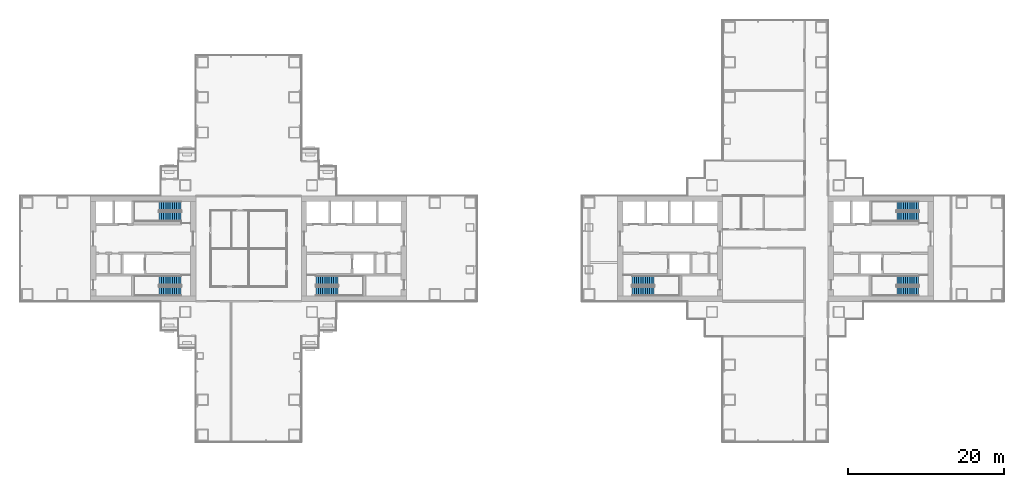
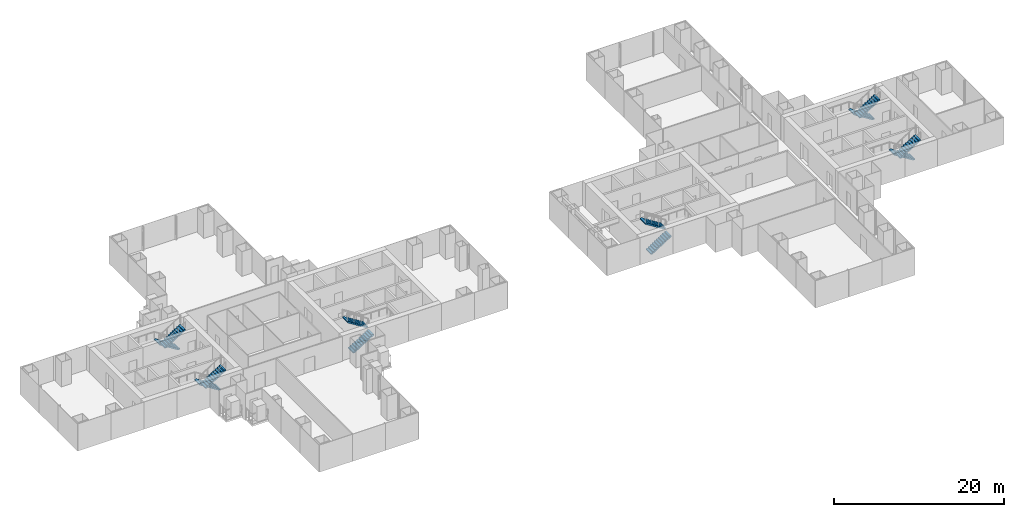
# One storey, part 18 of 21: 12 stair flights, 6 elements without a shape of their own.
"""IFC4 building model written with IfcOpenShell, lengths in metres."""

from ifc_helpers import new_model, si_unit, direction, frame, origin, place, context, subcontext, project, spatial, polyline, outline, extrude, material, type_object, element, aggregate, save


model = new_model("IFC4")

# Units and contexts
model_context = context("Model", 3, precision=1e-05, world=origin(), true_north=direction((0.0, 1.0)))
body_context = subcontext(model_context, "Body", "Model", "MODEL_VIEW")
ifc_project = project(units=[si_unit("LENGTHUNIT", "METRE"), si_unit("AREAUNIT", "SQUARE_METRE"), si_unit("VOLUMEUNIT", "CUBIC_METRE"), si_unit("PLANEANGLEUNIT", "RADIAN"), si_unit("MASSUNIT", "GRAM", prefix="KILO")], contexts=[model_context])

# Site, building, storey
site_placement = place(None, origin())
site = spatial("IfcSite", under=ifc_project, at=site_placement, CompositionType="ELEMENT")
building_placement = place(site_placement, origin())
building = spatial("IfcBuilding", under=site, at=building_placement, Name="Shamsa Quay Exchange Towers", CompositionType="ELEMENT")
storey_placement = place(building_placement, frame((0.0, 0.0, 61.5)))
storey = spatial("IfcBuildingStorey", under=building, at=storey_placement, Name="L13", CompositionType="ELEMENT", Elevation=61.5)

# Stair, stair flights
ifc_material = material(Name="Concrete C40/50", Category="concrete")
stair_type = type_object("IfcStairType", Name="EXIT STAIR 22 RISERS 177 MM", PredefinedType="HALF_TURN_STAIR", material=ifc_material)
stair_1_placement = place(storey_placement, origin())
stair_1 = element("IfcStair", 1, at=stair_1_placement, inside=storey, type_object=stair_type, Name="L13 Exit stair ST1", PredefinedType="HALF_TURN_STAIR")
stair_flight_type = type_object("IfcStairFlightType", Name="EXIT STAIR FLIGHT 11 RISERS 177 MM", PredefinedType="STRAIGHT", material=ifc_material)
stair_flight_1_placement = place(storey_placement, frame((-25.10009765625, -5.449951171875, 0.0)))
stair_flight_1 = element("IfcStairFlight", 2, at=stair_flight_1_placement, type_object=stair_flight_type, Name="ST1 flight 1", NumberOfRisers=11, NumberOfTreads=10, PredefinedType="STRAIGHT", RiserHeight=0.177272727, TreadLength=0.28, context=body_context, shape_type="SweptSolid", body=[
    extrude(outline(polyline([(0.0, 0.0), (0.0, 0.17724609375), (0.280029296875, 0.17724609375), (0.280029296875, 0.3544921875), (0.56005859375, 0.3544921875), (0.56005859375, 0.53173828125), (0.840087890625, 0.53173828125), (0.840087890625, 0.708984375), (1.1201171875, 0.708984375), (1.1201171875, 0.886474609375), (1.39990234375, 0.886474609375), (1.39990234375, 1.063720703125), (1.679931640625, 1.063720703125), (1.679931640625, 1.240966796875), (1.9599609375, 1.240966796875), (1.9599609375, 1.418212890625), (2.239990234375, 1.418212890625), (2.239990234375, 1.595458984375), (2.52001953125, 1.595458984375), (2.52001953125, 1.772705078125), (2.800048828125, 1.772705078125), (2.800048828125, 1.949951171875), (2.800048828125, 1.607177734375), (0.261474609375, 0.0), (0.0, 0.0)])), frame((0.0, 0.60009765625, 0.0), z_axis=(0.0, -1.0, 0.0), x_axis=(1.0, 0.0, 0.0)), (0.0, 0.0, 1.0), 1.199951171875),
])
stair_flight_2_placement = place(storey_placement, frame((-22.300048828125, -4.10009765625, 1.949951171875), z_axis=(0.0, 0.0, 1.0), x_axis=(-1.0, 0.0, 0.0)))
stair_flight_2 = element("IfcStairFlight", 3, at=stair_flight_2_placement, type_object=stair_flight_type, Name="ST1 flight 2", NumberOfRisers=11, NumberOfTreads=10, PredefinedType="STRAIGHT", RiserHeight=0.177272727, TreadLength=0.28, context=body_context, shape_type="SweptSolid", body=[
    extrude(outline(polyline([(0.0, 0.0), (0.0, 0.17724609375), (0.280029296875, 0.17724609375), (0.280029296875, 0.3544921875), (0.56005859375, 0.3544921875), (0.56005859375, 0.53173828125), (0.840087890625, 0.53173828125), (0.840087890625, 0.708984375), (1.1201171875, 0.708984375), (1.1201171875, 0.886474609375), (1.39990234375, 0.886474609375), (1.39990234375, 1.063720703125), (1.679931640625, 1.063720703125), (1.679931640625, 1.240966796875), (1.9599609375, 1.240966796875), (1.9599609375, 1.418212890625), (2.239990234375, 1.418212890625), (2.239990234375, 1.595458984375), (2.52001953125, 1.595458984375), (2.52001953125, 1.772705078125), (2.800048828125, 1.772705078125), (2.800048828125, 1.949951171875), (2.800048828125, 1.607177734375), (0.261474609375, 0.0), (0.0, 0.0)])), frame((0.0, 0.60009765625, 0.0), z_axis=(0.0, -1.0, 0.0), x_axis=(1.0, 0.0, 0.0)), (0.0, 0.0, 1.0), 1.199951171875),
])
aggregate(stair_1, [stair_flight_1, stair_flight_2])

stair_2_placement = place(storey_placement, origin())
stair_2 = element("IfcStair", 4, at=stair_2_placement, inside=storey, type_object=stair_type, Name="L13 Exit stair ST2", PredefinedType="HALF_TURN_STAIR")
stair_flight_3_placement = place(storey_placement, frame((-42.39990234375, -4.10009765625, 0.0), z_axis=(0.0, 0.0, 1.0), x_axis=(-1.0, 0.0, 0.0)))
stair_flight_3 = element("IfcStairFlight", 5, at=stair_flight_3_placement, type_object=stair_flight_type, Name="ST2 flight 1", NumberOfRisers=11, NumberOfTreads=10, PredefinedType="STRAIGHT", RiserHeight=0.177272727, TreadLength=0.28, context=body_context, shape_type="SweptSolid", body=[
    extrude(outline(polyline([(0.0, 0.0), (0.0, 0.17724609375), (0.280029296875, 0.17724609375), (0.280029296875, 0.3544921875), (0.56005859375, 0.3544921875), (0.56005859375, 0.53173828125), (0.840087890625, 0.53173828125), (0.840087890625, 0.708984375), (1.1201171875, 0.708984375), (1.1201171875, 0.886474609375), (1.39990234375, 0.886474609375), (1.39990234375, 1.063720703125), (1.679931640625, 1.063720703125), (1.679931640625, 1.240966796875), (1.9599609375, 1.240966796875), (1.9599609375, 1.418212890625), (2.239990234375, 1.418212890625), (2.239990234375, 1.595458984375), (2.52001953125, 1.595458984375), (2.52001953125, 1.772705078125), (2.800048828125, 1.772705078125), (2.800048828125, 1.949951171875), (2.800048828125, 1.607177734375), (0.261474609375, 0.0), (0.0, 0.0)])), frame((0.0, 0.60009765625, 0.0), z_axis=(0.0, -1.0, 0.0), x_axis=(1.0, 0.0, 0.0)), (0.0, 0.0, 1.0), 1.199951171875),
])
stair_flight_4_placement = place(storey_placement, frame((-45.199951171875, -5.449951171875, 1.949951171875)))
stair_flight_4 = element("IfcStairFlight", 6, at=stair_flight_4_placement, type_object=stair_flight_type, Name="ST2 flight 2", NumberOfRisers=11, NumberOfTreads=10, PredefinedType="STRAIGHT", RiserHeight=0.177272727, TreadLength=0.28, context=body_context, shape_type="SweptSolid", body=[
    extrude(outline(polyline([(0.0, 0.0), (0.0, 0.17724609375), (0.280029296875, 0.17724609375), (0.280029296875, 0.3544921875), (0.56005859375, 0.3544921875), (0.56005859375, 0.53173828125), (0.840087890625, 0.53173828125), (0.840087890625, 0.708984375), (1.1201171875, 0.708984375), (1.1201171875, 0.886474609375), (1.39990234375, 0.886474609375), (1.39990234375, 1.063720703125), (1.679931640625, 1.063720703125), (1.679931640625, 1.240966796875), (1.9599609375, 1.240966796875), (1.9599609375, 1.418212890625), (2.239990234375, 1.418212890625), (2.239990234375, 1.595458984375), (2.52001953125, 1.595458984375), (2.52001953125, 1.772705078125), (2.800048828125, 1.772705078125), (2.800048828125, 1.949951171875), (2.800048828125, 1.607177734375), (0.261474609375, 0.0), (0.0, 0.0)])), frame((0.0, 0.60009765625, 0.0), z_axis=(0.0, -1.0, 0.0), x_axis=(1.0, 0.0, 0.0)), (0.0, 0.0, 1.0), 1.199951171875),
])
aggregate(stair_2, [stair_flight_3, stair_flight_4])

stair_3_placement = place(storey_placement, origin())
stair_3 = element("IfcStair", 7, at=stair_3_placement, inside=storey, type_object=stair_type, Name="L13 Exit stair ST3", PredefinedType="HALF_TURN_STAIR")
stair_flight_5_placement = place(storey_placement, frame((-42.39990234375, 5.449951171875, 0.0), z_axis=(0.0, 0.0, 1.0), x_axis=(-1.0, 0.0, 0.0)))
stair_flight_5 = element("IfcStairFlight", 8, at=stair_flight_5_placement, type_object=stair_flight_type, Name="ST3 flight 1", NumberOfRisers=11, NumberOfTreads=10, PredefinedType="STRAIGHT", RiserHeight=0.177272727, TreadLength=0.28, context=body_context, shape_type="SweptSolid", body=[
    extrude(outline(polyline([(0.0, 0.0), (0.0, 0.17724609375), (0.280029296875, 0.17724609375), (0.280029296875, 0.3544921875), (0.56005859375, 0.3544921875), (0.56005859375, 0.53173828125), (0.840087890625, 0.53173828125), (0.840087890625, 0.708984375), (1.1201171875, 0.708984375), (1.1201171875, 0.886474609375), (1.39990234375, 0.886474609375), (1.39990234375, 1.063720703125), (1.679931640625, 1.063720703125), (1.679931640625, 1.240966796875), (1.9599609375, 1.240966796875), (1.9599609375, 1.418212890625), (2.239990234375, 1.418212890625), (2.239990234375, 1.595458984375), (2.52001953125, 1.595458984375), (2.52001953125, 1.772705078125), (2.800048828125, 1.772705078125), (2.800048828125, 1.949951171875), (2.800048828125, 1.607177734375), (0.261474609375, 0.0), (0.0, 0.0)])), frame((0.0, 0.60009765625, 0.0), z_axis=(0.0, -1.0, 0.0), x_axis=(1.0, 0.0, 0.0)), (0.0, 0.0, 1.0), 1.199951171875),
])
stair_flight_6_placement = place(storey_placement, frame((-45.199951171875, 4.10009765625, 1.949951171875)))
stair_flight_6 = element("IfcStairFlight", 9, at=stair_flight_6_placement, type_object=stair_flight_type, Name="ST3 flight 2", NumberOfRisers=11, NumberOfTreads=10, PredefinedType="STRAIGHT", RiserHeight=0.177272727, TreadLength=0.28, context=body_context, shape_type="SweptSolid", body=[
    extrude(outline(polyline([(0.0, 0.0), (0.0, 0.17724609375), (0.280029296875, 0.17724609375), (0.280029296875, 0.3544921875), (0.56005859375, 0.3544921875), (0.56005859375, 0.53173828125), (0.840087890625, 0.53173828125), (0.840087890625, 0.708984375), (1.1201171875, 0.708984375), (1.1201171875, 0.886474609375), (1.39990234375, 0.886474609375), (1.39990234375, 1.063720703125), (1.679931640625, 1.063720703125), (1.679931640625, 1.240966796875), (1.9599609375, 1.240966796875), (1.9599609375, 1.418212890625), (2.239990234375, 1.418212890625), (2.239990234375, 1.595458984375), (2.52001953125, 1.595458984375), (2.52001953125, 1.772705078125), (2.800048828125, 1.772705078125), (2.800048828125, 1.949951171875), (2.800048828125, 1.607177734375), (0.261474609375, 0.0), (0.0, 0.0)])), frame((0.0, 0.60009765625, 0.0), z_axis=(0.0, -1.0, 0.0), x_axis=(1.0, 0.0, 0.0)), (0.0, 0.0, 1.0), 1.199951171875),
])
aggregate(stair_3, [stair_flight_5, stair_flight_6])

stair_4_placement = place(storey_placement, origin())
stair_4 = element("IfcStair", 10, at=stair_4_placement, inside=storey, type_object=stair_type, Name="L13 Exit stair ST4", PredefinedType="HALF_TURN_STAIR")
stair_flight_7_placement = place(storey_placement, frame((15.39990234375, -5.449951171875, 0.0)))
stair_flight_7 = element("IfcStairFlight", 11, at=stair_flight_7_placement, type_object=stair_flight_type, Name="ST4 flight 1", NumberOfRisers=11, NumberOfTreads=10, PredefinedType="STRAIGHT", RiserHeight=0.177272727, TreadLength=0.28, context=body_context, shape_type="SweptSolid", body=[
    extrude(outline(polyline([(0.0, 0.0), (0.0, 0.17724609375), (0.280029296875, 0.17724609375), (0.280029296875, 0.3544921875), (0.56005859375, 0.3544921875), (0.56005859375, 0.53173828125), (0.840087890625, 0.53173828125), (0.840087890625, 0.708984375), (1.1201171875, 0.708984375), (1.1201171875, 0.886474609375), (1.39990234375, 0.886474609375), (1.39990234375, 1.063720703125), (1.679931640625, 1.063720703125), (1.679931640625, 1.240966796875), (1.9599609375, 1.240966796875), (1.9599609375, 1.418212890625), (2.239990234375, 1.418212890625), (2.239990234375, 1.595458984375), (2.52001953125, 1.595458984375), (2.52001953125, 1.772705078125), (2.800048828125, 1.772705078125), (2.800048828125, 1.949951171875), (2.800048828125, 1.607177734375), (0.261474609375, 0.0), (0.0, 0.0)])), frame((0.0, 0.60009765625, 0.0), z_axis=(0.0, -1.0, 0.0), x_axis=(1.0, 0.0, 0.0)), (0.0, 0.0, 1.0), 1.199951171875),
])
stair_flight_8_placement = place(storey_placement, frame((18.199951171875, -4.10009765625, 1.949951171875), z_axis=(0.0, 0.0, 1.0), x_axis=(-1.0, 0.0, 0.0)))
stair_flight_8 = element("IfcStairFlight", 12, at=stair_flight_8_placement, type_object=stair_flight_type, Name="ST4 flight 2", NumberOfRisers=11, NumberOfTreads=10, PredefinedType="STRAIGHT", RiserHeight=0.177272727, TreadLength=0.28, context=body_context, shape_type="SweptSolid", body=[
    extrude(outline(polyline([(0.0, 0.0), (0.0, 0.17724609375), (0.280029296875, 0.17724609375), (0.280029296875, 0.3544921875), (0.56005859375, 0.3544921875), (0.56005859375, 0.53173828125), (0.840087890625, 0.53173828125), (0.840087890625, 0.708984375), (1.1201171875, 0.708984375), (1.1201171875, 0.886474609375), (1.39990234375, 0.886474609375), (1.39990234375, 1.063720703125), (1.679931640625, 1.063720703125), (1.679931640625, 1.240966796875), (1.9599609375, 1.240966796875), (1.9599609375, 1.418212890625), (2.239990234375, 1.418212890625), (2.239990234375, 1.595458984375), (2.52001953125, 1.595458984375), (2.52001953125, 1.772705078125), (2.800048828125, 1.772705078125), (2.800048828125, 1.949951171875), (2.800048828125, 1.607177734375), (0.261474609375, 0.0), (0.0, 0.0)])), frame((0.0, 0.60009765625, 0.0), z_axis=(0.0, -1.0, 0.0), x_axis=(1.0, 0.0, 0.0)), (0.0, 0.0, 1.0), 1.199951171875),
])
aggregate(stair_4, [stair_flight_7, stair_flight_8])

stair_5_placement = place(storey_placement, origin())
stair_5 = element("IfcStair", 13, at=stair_5_placement, inside=storey, type_object=stair_type, Name="L13 Exit stair ST5", PredefinedType="HALF_TURN_STAIR")
stair_flight_9_placement = place(storey_placement, frame((52.10009765625, -4.10009765625, 0.0), z_axis=(0.0, 0.0, 1.0), x_axis=(-1.0, 0.0, 0.0)))
stair_flight_9 = element("IfcStairFlight", 14, at=stair_flight_9_placement, type_object=stair_flight_type, Name="ST5 flight 1", NumberOfRisers=11, NumberOfTreads=10, PredefinedType="STRAIGHT", RiserHeight=0.177272727, TreadLength=0.28, context=body_context, shape_type="SweptSolid", body=[
    extrude(outline(polyline([(0.0, 0.0), (0.0, 0.17724609375), (0.280029296875, 0.17724609375), (0.280029296875, 0.3544921875), (0.56005859375, 0.3544921875), (0.56005859375, 0.53173828125), (0.840087890625, 0.53173828125), (0.840087890625, 0.708984375), (1.1201171875, 0.708984375), (1.1201171875, 0.886474609375), (1.39990234375, 0.886474609375), (1.39990234375, 1.063720703125), (1.679931640625, 1.063720703125), (1.679931640625, 1.240966796875), (1.9599609375, 1.240966796875), (1.9599609375, 1.418212890625), (2.239990234375, 1.418212890625), (2.239990234375, 1.595458984375), (2.52001953125, 1.595458984375), (2.52001953125, 1.772705078125), (2.800048828125, 1.772705078125), (2.800048828125, 1.949951171875), (2.800048828125, 1.607177734375), (0.261474609375, 0.0), (0.0, 0.0)])), frame((0.0, 0.60009765625, 0.0), z_axis=(0.0, -1.0, 0.0), x_axis=(1.0, 0.0, 0.0)), (0.0, 0.0, 1.0), 1.199951171875),
])
stair_flight_10_placement = place(storey_placement, frame((49.300048828125, -5.449951171875, 1.949951171875)))
stair_flight_10 = element("IfcStairFlight", 15, at=stair_flight_10_placement, type_object=stair_flight_type, Name="ST5 flight 2", NumberOfRisers=11, NumberOfTreads=10, PredefinedType="STRAIGHT", RiserHeight=0.177272727, TreadLength=0.28, context=body_context, shape_type="SweptSolid", body=[
    extrude(outline(polyline([(0.0, 0.0), (0.0, 0.17724609375), (0.280029296875, 0.17724609375), (0.280029296875, 0.3544921875), (0.56005859375, 0.3544921875), (0.56005859375, 0.53173828125), (0.840087890625, 0.53173828125), (0.840087890625, 0.708984375), (1.1201171875, 0.708984375), (1.1201171875, 0.886474609375), (1.39990234375, 0.886474609375), (1.39990234375, 1.063720703125), (1.679931640625, 1.063720703125), (1.679931640625, 1.240966796875), (1.9599609375, 1.240966796875), (1.9599609375, 1.418212890625), (2.239990234375, 1.418212890625), (2.239990234375, 1.595458984375), (2.52001953125, 1.595458984375), (2.52001953125, 1.772705078125), (2.800048828125, 1.772705078125), (2.800048828125, 1.949951171875), (2.800048828125, 1.607177734375), (0.261474609375, 0.0), (0.0, 0.0)])), frame((0.0, 0.60009765625, 0.0), z_axis=(0.0, -1.0, 0.0), x_axis=(1.0, 0.0, 0.0)), (0.0, 0.0, 1.0), 1.199951171875),
])
aggregate(stair_5, [stair_flight_9, stair_flight_10])

stair_6_placement = place(storey_placement, origin())
stair_6 = element("IfcStair", 16, at=stair_6_placement, inside=storey, type_object=stair_type, Name="L13 Exit stair ST6", PredefinedType="HALF_TURN_STAIR")
stair_flight_11_placement = place(storey_placement, frame((52.10009765625, 5.449951171875, 0.0), z_axis=(0.0, 0.0, 1.0), x_axis=(-1.0, 0.0, 0.0)))
stair_flight_11 = element("IfcStairFlight", 17, at=stair_flight_11_placement, type_object=stair_flight_type, Name="ST6 flight 1", NumberOfRisers=11, NumberOfTreads=10, PredefinedType="STRAIGHT", RiserHeight=0.177272727, TreadLength=0.28, context=body_context, shape_type="SweptSolid", body=[
    extrude(outline(polyline([(0.0, 0.0), (0.0, 0.17724609375), (0.280029296875, 0.17724609375), (0.280029296875, 0.3544921875), (0.56005859375, 0.3544921875), (0.56005859375, 0.53173828125), (0.840087890625, 0.53173828125), (0.840087890625, 0.708984375), (1.1201171875, 0.708984375), (1.1201171875, 0.886474609375), (1.39990234375, 0.886474609375), (1.39990234375, 1.063720703125), (1.679931640625, 1.063720703125), (1.679931640625, 1.240966796875), (1.9599609375, 1.240966796875), (1.9599609375, 1.418212890625), (2.239990234375, 1.418212890625), (2.239990234375, 1.595458984375), (2.52001953125, 1.595458984375), (2.52001953125, 1.772705078125), (2.800048828125, 1.772705078125), (2.800048828125, 1.949951171875), (2.800048828125, 1.607177734375), (0.261474609375, 0.0), (0.0, 0.0)])), frame((0.0, 0.60009765625, 0.0), z_axis=(0.0, -1.0, 0.0), x_axis=(1.0, 0.0, 0.0)), (0.0, 0.0, 1.0), 1.199951171875),
])
stair_flight_12_placement = place(storey_placement, frame((49.300048828125, 4.10009765625, 1.949951171875)))
stair_flight_12 = element("IfcStairFlight", 18, at=stair_flight_12_placement, type_object=stair_flight_type, Name="ST6 flight 2", NumberOfRisers=11, NumberOfTreads=10, PredefinedType="STRAIGHT", RiserHeight=0.177272727, TreadLength=0.28, context=body_context, shape_type="SweptSolid", body=[
    extrude(outline(polyline([(0.0, 0.0), (0.0, 0.17724609375), (0.280029296875, 0.17724609375), (0.280029296875, 0.3544921875), (0.56005859375, 0.3544921875), (0.56005859375, 0.53173828125), (0.840087890625, 0.53173828125), (0.840087890625, 0.708984375), (1.1201171875, 0.708984375), (1.1201171875, 0.886474609375), (1.39990234375, 0.886474609375), (1.39990234375, 1.063720703125), (1.679931640625, 1.063720703125), (1.679931640625, 1.240966796875), (1.9599609375, 1.240966796875), (1.9599609375, 1.418212890625), (2.239990234375, 1.418212890625), (2.239990234375, 1.595458984375), (2.52001953125, 1.595458984375), (2.52001953125, 1.772705078125), (2.800048828125, 1.772705078125), (2.800048828125, 1.949951171875), (2.800048828125, 1.607177734375), (0.261474609375, 0.0), (0.0, 0.0)])), frame((0.0, 0.60009765625, 0.0), z_axis=(0.0, -1.0, 0.0), x_axis=(1.0, 0.0, 0.0)), (0.0, 0.0, 1.0), 1.199951171875),
])
aggregate(stair_6, [stair_flight_11, stair_flight_12])

save(model, "model.ifc")
